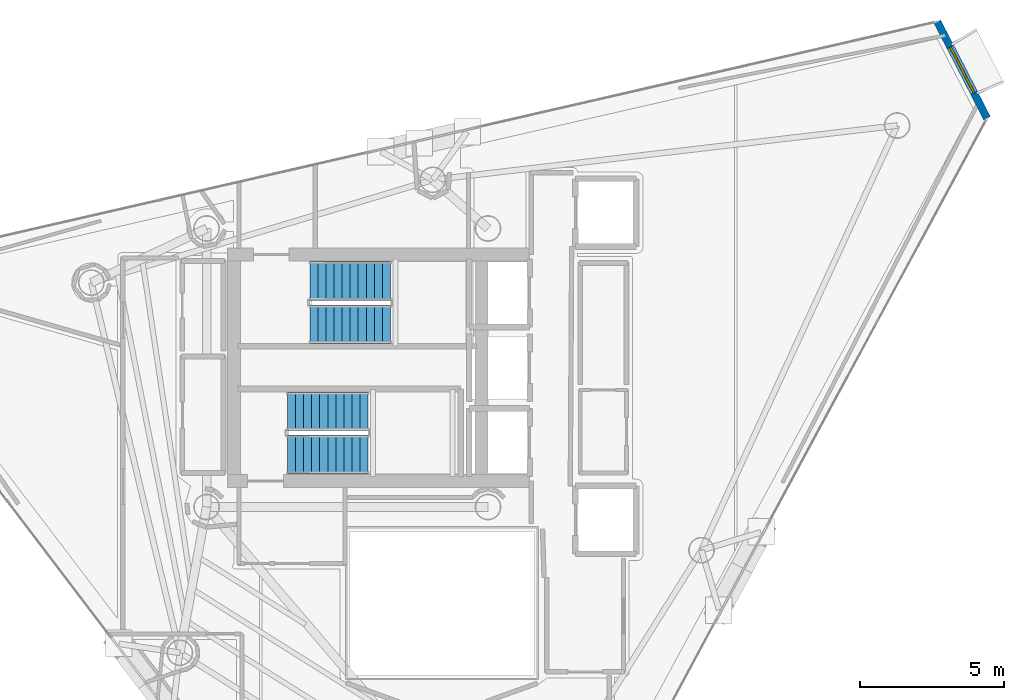
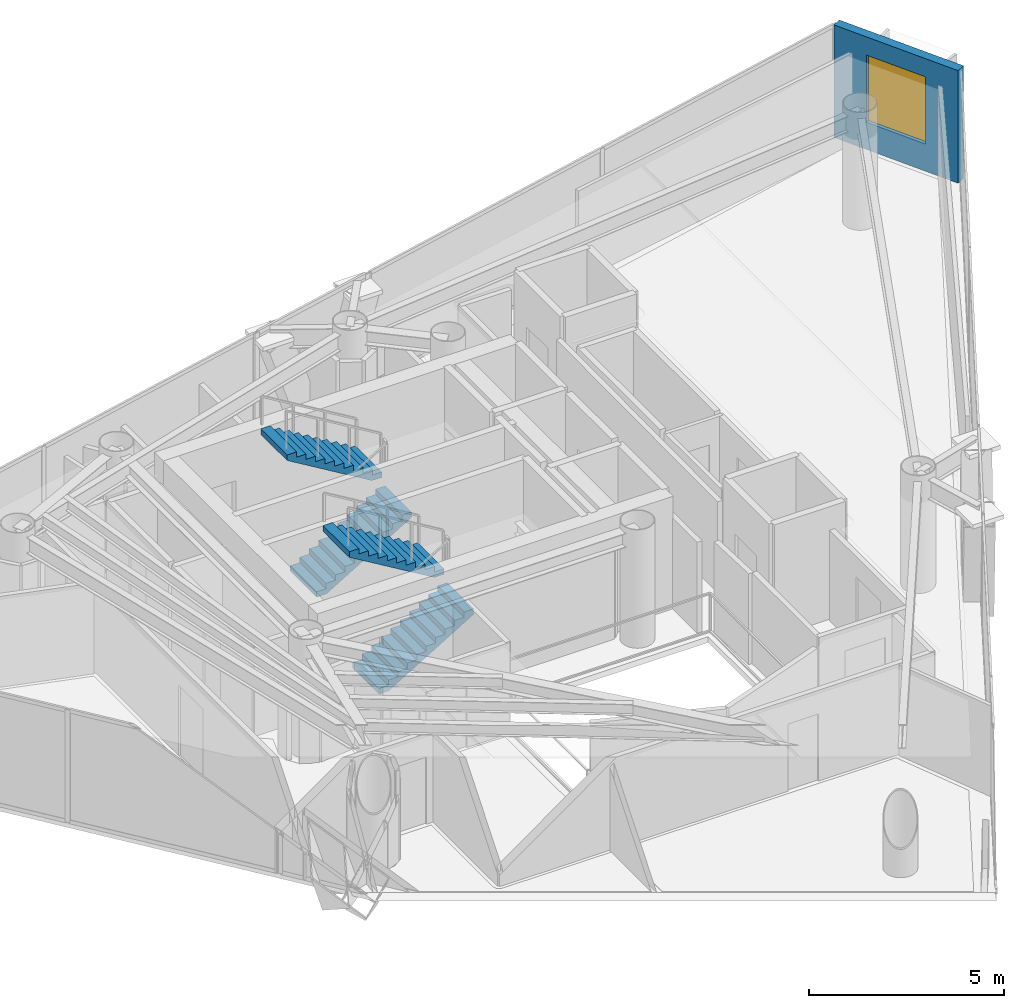
# One storey, part 21 of 24: 4 stair flights, 1 wall, 1 window, 1 opening, 2 elements without a shape of their own.
"""IFC4 building model written with IfcOpenShell, lengths in metres."""

from ifc_helpers import new_model, si_unit, direction, frame, frame_2d, origin, place, context, subcontext, project, spatial, polyline, rectangle, outline, extrude, material, layer, layer_set, type_object, element, fill, aggregate, save


model = new_model("IFC4")

# Units and contexts
model_context = context("Model", 3, precision=1e-05, world=origin(), true_north=direction((0.0, 1.0)))
body_context = subcontext(model_context, "Body", "Model", "MODEL_VIEW")
ifc_project = project(units=[si_unit("LENGTHUNIT", "METRE"), si_unit("AREAUNIT", "SQUARE_METRE"), si_unit("VOLUMEUNIT", "CUBIC_METRE"), si_unit("PLANEANGLEUNIT", "RADIAN"), si_unit("MASSUNIT", "GRAM", prefix="KILO")], contexts=[model_context])

# Site, building, storey
site_placement = place(None, origin())
site = spatial("IfcSite", under=ifc_project, at=site_placement, CompositionType="ELEMENT")
building_placement = place(site_placement, origin())
building = spatial("IfcBuilding", under=site, at=building_placement, Name="Qianvela Tower", CompositionType="ELEMENT")
storey_placement = place(building_placement, frame((0.0, 0.0, 306.5)))
storey = spatial("IfcBuildingStorey", under=building, at=storey_placement, Name="L79", CompositionType="ELEMENT", Elevation=306.5)

# Wall, opening, window
ifc_material_1 = material(Name="Terracotta Cladding on Concrete C40", Category="masonry")
ifc_layer = layer(ifc_material_1, 0.260009765625)
ifc_layer_set = layer_set([ifc_layer], Name="Terracotta Cladding on Concrete C40")
wall_type = type_object("IfcWallType", Name="TERRACOTTA-WALL-260", PredefinedType="SOLIDWALL", material=ifc_layer_set)
wall_placement = place(storey_placement, frame((55.78125, 37.39013671875, 0.0), z_axis=(0.0, 0.0, 1.0), x_axis=(-0.458030827048, 0.888936309009, 0.0)))
wall = element("IfcWall", 1, at=wall_placement, inside=storey, type_object=wall_type, Name="L79 Terracotta Chamfer Facet Wall 1", PredefinedType="SOLIDWALL", context=body_context, shape_type="SweptSolid", body=[
    extrude(rectangle(XDim=3.7802734375, YDim=0.260009765625, at=frame_2d((1.89013671875, 0.0))), origin(), (0.0, 0.0, 1.0), 3.52001953125),
])
opening_placement = place(wall_placement, frame((0.989990234375, 0.0, 0.85009765625)))
opening = element("IfcOpeningElement", 2, at=opening_placement, cuts=wall, Name="Opening W-01", PredefinedType="OPENING", context=body_context, shape_type="SweptSolid", body=[
    extrude(rectangle(XDim=1.800048828125, YDim=2.10009765625, at=frame_2d((0.89990234375, 1.050048828125))), frame((0.0, 0.139892578125, 0.0), z_axis=(0.0, -1.0, 0.0), x_axis=(1.0, 0.0, 0.0)), (0.0, 0.0, 1.0), 0.280029296875),
])
ifc_material_2 = material(Name="Thermally Broken Aluminium and Low-E Glass", Category="aluminium")
window_type = type_object("IfcWindowType", Name="WIN-TC-1800x2100", PartitioningType="DOUBLE_PANEL_VERTICAL", PredefinedType="WINDOW", material=ifc_material_2)
window_placement = place(opening_placement, origin())
window = element("IfcWindow", 3, at=window_placement, inside=storey, type_object=window_type, Name="L79 Chamfer Facet Window 1.1", OverallHeight=2.10009765625, OverallWidth=1.800048828125, PartitioningType="SINGLE_PANEL", PredefinedType="WINDOW", context=body_context, shape_type="SweptSolid", body=[
    extrude(rectangle(XDim=1.800048828125, YDim=2.10009765625, at=frame_2d((0.89990234375, 1.050048828125))), frame((0.0, 0.030029296875, 0.0), z_axis=(0.0, -1.0, 0.0), x_axis=(1.0, 0.0, 0.0)), (0.0, 0.0, 1.0), 0.06005859375),
])
fill(opening, window)

# Stair, stair flights
ifc_material_3 = material(Name="Concrete C40", Category="concrete")
stair_type = type_object("IfcStairType", Name="ST-DOGLEG-1350-R168-N22", PredefinedType="HALF_TURN_STAIR", material=ifc_material_3)
stair_1_placement = place(storey_placement, origin())
stair_1 = element("IfcStair", 4, at=stair_1_placement, inside=storey, type_object=stair_type, Name="L79 Smoke-Proof Core Stair ST-1", PredefinedType="HALF_TURN_STAIR")
ifc_material_4 = material(Name="Concrete C40", Category="concrete")
stair_flight_type = type_object("IfcStairFlightType", Name="STF-STRAIGHT-R168-P11", PredefinedType="STRAIGHT", material=ifc_material_4)
stair_flight_1_placement = place(storey_placement, frame((32.199951171875, 30.215087890625, 0.0), z_axis=(0.0, 0.0, 1.0), x_axis=(1.0, 0.0, 0.0)))
stair_flight_1 = element("IfcStairFlight", 5, at=stair_flight_1_placement, type_object=stair_flight_type, Name="ST-1 flight 1", NumberOfRisers=11, NumberOfTreads=10, PredefinedType="STRAIGHT", RiserHeight=0.168181818, TreadLength=0.28, context=body_context, shape_type="SweptSolid", body=[
    extrude(outline(polyline([(0.0, 0.0), (0.0, 0.168212890625), (0.280029296875, 0.168212890625), (0.280029296875, 0.33642578125), (0.56005859375, 0.33642578125), (0.56005859375, 0.504638671875), (0.840087890625, 0.504638671875), (0.840087890625, 0.672607421875), (1.1201171875, 0.672607421875), (1.1201171875, 0.8408203125), (1.39990234375, 0.8408203125), (1.39990234375, 1.009033203125), (1.679931640625, 1.009033203125), (1.679931640625, 1.17724609375), (1.9599609375, 1.17724609375), (1.9599609375, 1.345458984375), (2.239990234375, 1.345458984375), (2.239990234375, 1.513671875), (2.52001953125, 1.513671875), (2.52001953125, 1.681884765625), (2.800048828125, 1.681884765625), (2.800048828125, 1.85009765625), (2.800048828125, 1.5068359375), (0.291015625, 0.0), (0.0, 0.0)])), frame((0.0, 0.675048828125, 0.0), z_axis=(0.0, -1.0, 0.0), x_axis=(1.0, 0.0, 0.0)), (0.0, 0.0, 1.0), 1.35009765625),
])
stair_flight_2_placement = place(storey_placement, frame((35.0, 31.72509765625, 1.85009765625), z_axis=(0.0, 0.0, 1.0), x_axis=(-1.0, 0.0, 0.0)))
stair_flight_2 = element("IfcStairFlight", 6, at=stair_flight_2_placement, type_object=stair_flight_type, Name="ST-1 flight 2", NumberOfRisers=11, NumberOfTreads=10, PredefinedType="STRAIGHT", RiserHeight=0.168181818, TreadLength=0.28, context=body_context, shape_type="SweptSolid", body=[
    extrude(outline(polyline([(0.0, 0.0), (0.0, 0.168212890625), (0.280029296875, 0.168212890625), (0.280029296875, 0.33642578125), (0.56005859375, 0.33642578125), (0.56005859375, 0.504638671875), (0.840087890625, 0.504638671875), (0.840087890625, 0.672607421875), (1.1201171875, 0.672607421875), (1.1201171875, 0.8408203125), (1.39990234375, 0.8408203125), (1.39990234375, 1.009033203125), (1.679931640625, 1.009033203125), (1.679931640625, 1.17724609375), (1.9599609375, 1.17724609375), (1.9599609375, 1.345458984375), (2.239990234375, 1.345458984375), (2.239990234375, 1.513671875), (2.52001953125, 1.513671875), (2.52001953125, 1.681884765625), (2.800048828125, 1.681884765625), (2.800048828125, 1.85009765625), (2.800048828125, 1.5068359375), (0.291015625, 0.0), (0.0, 0.0)])), frame((0.0, 0.675048828125, 0.0), z_axis=(0.0, -1.0, 0.0), x_axis=(1.0, 0.0, 0.0)), (0.0, 0.0, 1.0), 1.35009765625),
])
aggregate(stair_1, [stair_flight_1, stair_flight_2])

stair_2_placement = place(storey_placement, origin())
stair_2 = element("IfcStair", 7, at=stair_2_placement, inside=storey, type_object=stair_type, Name="L79 Smoke-Proof Core Stair ST-2", PredefinedType="HALF_TURN_STAIR")
stair_flight_3_placement = place(storey_placement, frame((31.419921875, 25.675048828125, 0.0), z_axis=(0.0, 0.0, 1.0), x_axis=(1.0, 0.0, 0.0)))
stair_flight_3 = element("IfcStairFlight", 8, at=stair_flight_3_placement, type_object=stair_flight_type, Name="ST-2 flight 1", NumberOfRisers=11, NumberOfTreads=10, PredefinedType="STRAIGHT", RiserHeight=0.168181818, TreadLength=0.28, context=body_context, shape_type="SweptSolid", body=[
    extrude(outline(polyline([(0.0, 0.0), (0.0, 0.168212890625), (0.280029296875, 0.168212890625), (0.280029296875, 0.33642578125), (0.56005859375, 0.33642578125), (0.56005859375, 0.504638671875), (0.840087890625, 0.504638671875), (0.840087890625, 0.672607421875), (1.1201171875, 0.672607421875), (1.1201171875, 0.8408203125), (1.39990234375, 0.8408203125), (1.39990234375, 1.009033203125), (1.679931640625, 1.009033203125), (1.679931640625, 1.17724609375), (1.9599609375, 1.17724609375), (1.9599609375, 1.345458984375), (2.239990234375, 1.345458984375), (2.239990234375, 1.513671875), (2.52001953125, 1.513671875), (2.52001953125, 1.681884765625), (2.800048828125, 1.681884765625), (2.800048828125, 1.85009765625), (2.800048828125, 1.5068359375), (0.291015625, 0.0), (0.0, 0.0)])), frame((0.0, 0.675048828125, 0.0), z_axis=(0.0, -1.0, 0.0), x_axis=(1.0, 0.0, 0.0)), (0.0, 0.0, 1.0), 1.35009765625),
])
stair_flight_4_placement = place(storey_placement, frame((34.219970703125, 27.18505859375, 1.85009765625), z_axis=(0.0, 0.0, 1.0), x_axis=(-1.0, 0.0, 0.0)))
stair_flight_4 = element("IfcStairFlight", 9, at=stair_flight_4_placement, type_object=stair_flight_type, Name="ST-2 flight 2", NumberOfRisers=11, NumberOfTreads=10, PredefinedType="STRAIGHT", RiserHeight=0.168181818, TreadLength=0.28, context=body_context, shape_type="SweptSolid", body=[
    extrude(outline(polyline([(0.0, 0.0), (0.0, 0.168212890625), (0.280029296875, 0.168212890625), (0.280029296875, 0.33642578125), (0.56005859375, 0.33642578125), (0.56005859375, 0.504638671875), (0.840087890625, 0.504638671875), (0.840087890625, 0.672607421875), (1.1201171875, 0.672607421875), (1.1201171875, 0.8408203125), (1.39990234375, 0.8408203125), (1.39990234375, 1.009033203125), (1.679931640625, 1.009033203125), (1.679931640625, 1.17724609375), (1.9599609375, 1.17724609375), (1.9599609375, 1.345458984375), (2.239990234375, 1.345458984375), (2.239990234375, 1.513671875), (2.52001953125, 1.513671875), (2.52001953125, 1.681884765625), (2.800048828125, 1.681884765625), (2.800048828125, 1.85009765625), (2.800048828125, 1.5068359375), (0.291015625, 0.0), (0.0, 0.0)])), frame((0.0, 0.675048828125, 0.0), z_axis=(0.0, -1.0, 0.0), x_axis=(1.0, 0.0, 0.0)), (0.0, 0.0, 1.0), 1.35009765625),
])
aggregate(stair_2, [stair_flight_3, stair_flight_4])

save(model, "model.ifc")
